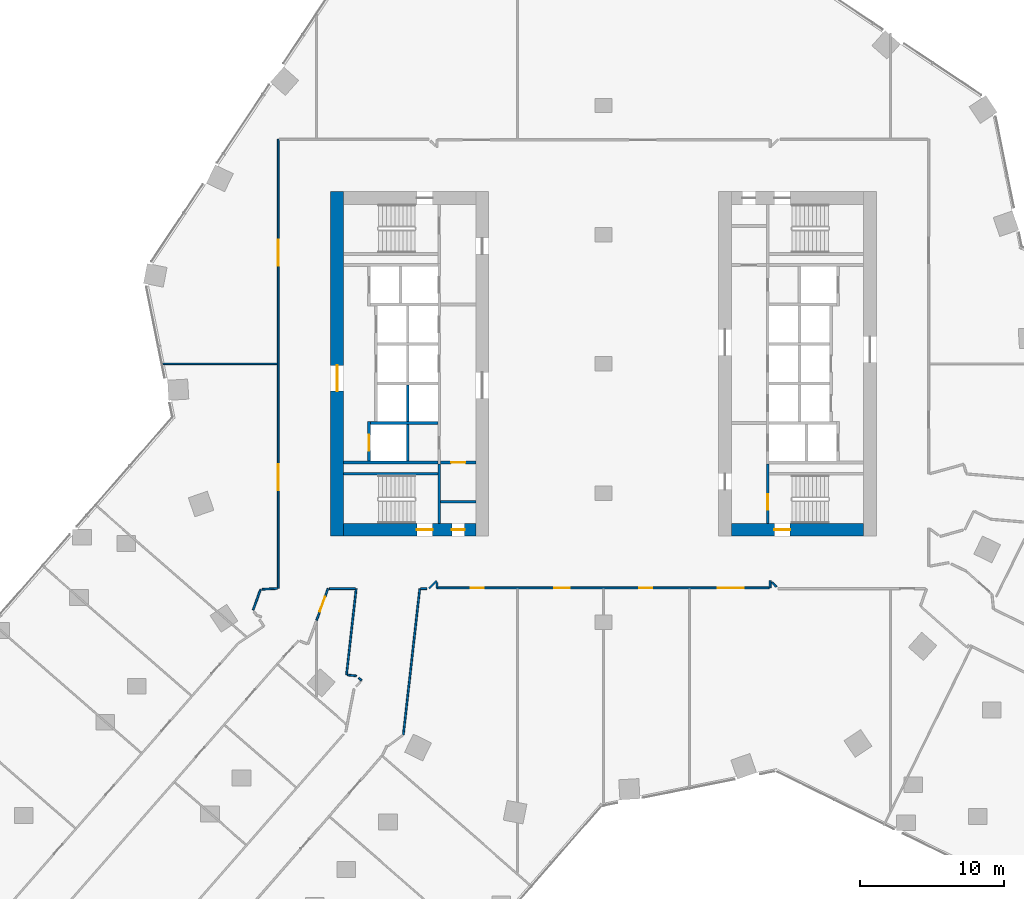
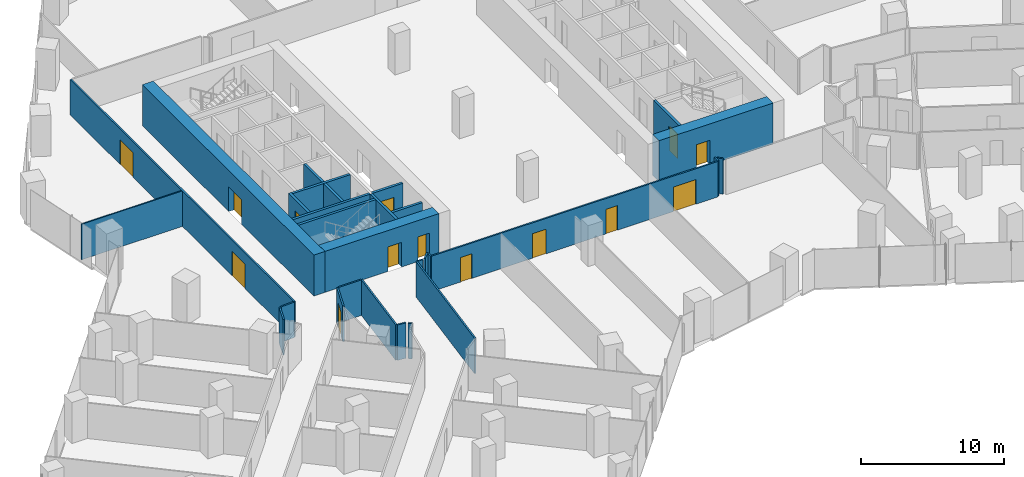
# One storey, part 27 of 38: 29 walls, 14 doors, 14 openings.
"""IFC4 building model written with IfcOpenShell, lengths in metres."""

from ifc_helpers import new_model, si_unit, direction, frame, frame_2d, origin, place, context, subcontext, project, spatial, rectangle, extrude, material, layer, layer_set, type_object, element, fill, save


model = new_model("IFC4")

# Units and contexts
model_context = context("Model", 3, precision=1e-05, world=origin(), true_north=direction((0.0, 1.0)))
body_context = subcontext(model_context, "Body", "Model", "MODEL_VIEW")
ifc_project = project(units=[si_unit("LENGTHUNIT", "METRE"), si_unit("AREAUNIT", "SQUARE_METRE"), si_unit("VOLUMEUNIT", "CUBIC_METRE"), si_unit("PLANEANGLEUNIT", "RADIAN"), si_unit("MASSUNIT", "GRAM", prefix="KILO")], contexts=[model_context])

# Site, building, storey
site_placement = place(None, origin())
site = spatial("IfcSite", under=ifc_project, at=site_placement, CompositionType="ELEMENT")
building_placement = place(site_placement, origin())
building = spatial("IfcBuilding", under=site, at=building_placement, Name="Orlundy Tower", CompositionType="ELEMENT")
storey_placement = place(building_placement, frame((0.0, 0.0, 72.800048828125)))
storey = spatial("IfcBuildingStorey", under=building, at=storey_placement, Name="L17", CompositionType="ELEMENT", Elevation=72.800048828125)

# Wall, openings, doors
ifc_material_1 = material(Name="Concrete C80/95", Category="concrete")
ifc_layer_1 = layer(ifc_material_1, 0.89990234375)
ifc_layer_set_1 = layer_set([ifc_layer_1], Name="CORE WALL 900 C80/95")
wall_type_1 = type_object("IfcWallType", Name="CORE WALL 900 C80/95", PredefinedType="SHEAR", material=ifc_layer_set_1)
wall_1_placement = place(storey_placement, frame((-18.10009765625, -11.550048828125, 0.0), z_axis=(0.0, 0.0, 1.0), x_axis=(1.0, 0.0, 0.0)))
wall_1 = element("IfcWall", 1, at=wall_1_placement, inside=storey, type_object=wall_type_1, Name="Core wall W-S L17", PredefinedType="SHEAR", context=body_context, shape_type="SweptSolid", body=[
    extrude(rectangle(XDim=9.2001953125, YDim=0.89990234375, at=frame_2d((4.60009765625, 0.0))), origin(), (0.0, 0.0, 1.0), 3.5),
])
opening_1_placement = place(wall_1_placement, frame((5.10009765625, 0.0, 0.0)))
opening_1 = element("IfcOpeningElement", 2, at=opening_1_placement, cuts=wall_1, Name="Opening 14013", PredefinedType="OPENING", context=body_context, shape_type="SweptSolid", body=[
    extrude(rectangle(XDim=1.10009765625, YDim=2.10009765625, at=frame_2d((0.550048828125, 1.050048828125))), frame((0.0, 0.4599609375, 0.0), z_axis=(0.0, -1.0, 0.0), x_axis=(1.0, 0.0, 0.0)), (0.0, 0.0, 1.0), 0.919921875),
])
opening_2_placement = place(wall_1_placement, frame((7.530029296875, 0.0, 0.0)))
opening_2 = element("IfcOpeningElement", 3, at=opening_2_placement, cuts=wall_1, Name="Opening 14015", PredefinedType="OPENING", context=body_context, shape_type="SweptSolid", body=[
    extrude(rectangle(XDim=0.89990234375, YDim=2.10009765625, at=frame_2d((0.449951171875, 1.050048828125))), frame((0.0, 0.4599609375, 0.0), z_axis=(0.0, -1.0, 0.0), x_axis=(1.0, 0.0, 0.0)), (0.0, 0.0, 1.0), 0.919921875),
])
ifc_material_2 = material(Name="Timber door set", Category="wood")
door_type_1 = type_object("IfcDoorType", Name="Room Door 900x2100", OperationType="SINGLE_SWING_LEFT", PredefinedType="DOOR", material=ifc_material_2)
door_1_placement = place(opening_2_placement, origin())
door_1 = element("IfcDoor", 4, at=door_1_placement, inside=storey, type_object=door_type_1, Name="Store door 14015", OperationType="SINGLE_SWING_RIGHT", OverallHeight=2.10009765625, OverallWidth=0.89990234375, PredefinedType="DOOR", context=body_context, shape_type="SweptSolid", body=[
    extrude(rectangle(XDim=0.89990234375, YDim=2.10009765625, at=frame_2d((0.449951171875, 1.050048828125))), frame((0.0, 0.02490234375, 0.0), z_axis=(0.0, -1.0, 0.0), x_axis=(1.0, 0.0, 0.0)), (0.0, 0.0, 1.0), 0.050048828125),
])
fill(opening_2, door_1)
ifc_material_3 = material(Name="Steel door set", Category="steel")
door_type_2 = type_object("IfcDoorType", Name="Stair Door 1100x2100", OperationType="SINGLE_SWING_LEFT", PredefinedType="DOOR", material=ifc_material_3)
door_2_placement = place(opening_1_placement, origin())
door_2 = element("IfcDoor", 5, at=door_2_placement, inside=storey, type_object=door_type_2, Name="Stair door 14013", OperationType="SINGLE_SWING_RIGHT", OverallHeight=2.10009765625, OverallWidth=1.10009765625, PredefinedType="DOOR", context=body_context, shape_type="SweptSolid", body=[
    extrude(rectangle(XDim=1.10009765625, YDim=2.10009765625, at=frame_2d((0.550048828125, 1.050048828125))), frame((0.0, 0.02490234375, 0.0), z_axis=(0.0, -1.0, 0.0), x_axis=(1.0, 0.0, 0.0)), (0.0, 0.0, 1.0), 0.050048828125),
])
fill(opening_1, door_2)

# Wall, opening, door
wall_2_placement = place(storey_placement, frame((-18.550048828125, -12.0, 0.0), z_axis=(0.0, 0.0, 1.0), x_axis=(0.0, 1.0, 0.0)))
wall_2 = element("IfcWall", 6, at=wall_2_placement, inside=storey, type_object=wall_type_1, Name="Core wall W-W L17", PredefinedType="SHEAR", context=body_context, shape_type="SweptSolid", body=[
    extrude(rectangle(XDim=24.0, YDim=0.89990234375, at=frame_2d((12.0, 0.0))), origin(), (0.0, 0.0, 1.0), 3.5),
])
opening_3_placement = place(wall_2_placement, frame((10.10009765625, 0.0, 0.0)))
opening_3 = element("IfcOpeningElement", 7, at=opening_3_placement, cuts=wall_2, Name="Opening 14010", PredefinedType="OPENING", context=body_context, shape_type="SweptSolid", body=[
    extrude(rectangle(XDim=1.800048828125, YDim=2.10009765625, at=frame_2d((0.89990234375, 1.050048828125))), frame((0.0, 0.4599609375, 0.0), z_axis=(0.0, -1.0, 0.0), x_axis=(1.0, 0.0, 0.0)), (0.0, 0.0, 1.0), 0.919921875),
])
ifc_material_4 = material(Name="Timber door set", Category="wood")
door_type_3 = type_object("IfcDoorType", Name="Lobby Door 1800x2100", OperationType="DOUBLE_DOOR_DOUBLE_SWING", PredefinedType="DOOR", material=ifc_material_4)
door_3_placement = place(opening_3_placement, origin())
door_3 = element("IfcDoor", 8, at=door_3_placement, inside=storey, type_object=door_type_3, Name="Lift lobby door 14010", OperationType="SINGLE_SWING_LEFT", OverallHeight=2.10009765625, OverallWidth=1.800048828125, PredefinedType="DOOR", context=body_context, shape_type="SweptSolid", body=[
    extrude(rectangle(XDim=1.800048828125, YDim=2.10009765625, at=frame_2d((0.89990234375, 1.050048828125))), frame((0.0, 0.02490234375, 0.0), z_axis=(0.0, -1.0, 0.0), x_axis=(1.0, 0.0, 0.0)), (0.0, 0.0, 1.0), 0.050048828125),
])
fill(opening_3, door_3)

wall_3_placement = place(storey_placement, frame((8.89990234375, -11.550048828125, 0.0), z_axis=(0.0, 0.0, 1.0), x_axis=(1.0, 0.0, 0.0)))
wall_3 = element("IfcWall", 9, at=wall_3_placement, inside=storey, type_object=wall_type_1, Name="Core wall E-S L17", PredefinedType="SHEAR", context=body_context, shape_type="SweptSolid", body=[
    extrude(rectangle(XDim=9.2001953125, YDim=0.89990234375, at=frame_2d((4.60009765625, 0.0))), origin(), (0.0, 0.0, 1.0), 3.5),
])
opening_4_placement = place(wall_3_placement, frame((3.0, 0.0, 0.0)))
opening_4 = element("IfcOpeningElement", 10, at=opening_4_placement, cuts=wall_3, Name="Opening 14061", PredefinedType="OPENING", context=body_context, shape_type="SweptSolid", body=[
    extrude(rectangle(XDim=1.10009765625, YDim=2.10009765625, at=frame_2d((0.550048828125, 1.050048828125))), frame((0.0, 0.4599609375, 0.0), z_axis=(0.0, -1.0, 0.0), x_axis=(1.0, 0.0, 0.0)), (0.0, 0.0, 1.0), 0.919921875),
])
door_4_placement = place(opening_4_placement, origin())
door_4 = element("IfcDoor", 11, at=door_4_placement, inside=storey, type_object=door_type_2, Name="Stair door 14061", OperationType="SINGLE_SWING_LEFT", OverallHeight=2.10009765625, OverallWidth=1.10009765625, PredefinedType="DOOR", context=body_context, shape_type="SweptSolid", body=[
    extrude(rectangle(XDim=1.10009765625, YDim=2.10009765625, at=frame_2d((0.550048828125, 1.050048828125))), frame((0.0, 0.02490234375, 0.0), z_axis=(0.0, -1.0, 0.0), x_axis=(1.0, 0.0, 0.0)), (0.0, 0.0, 1.0), 0.050048828125),
])
fill(opening_4, door_4)

# Walls
ifc_material_5 = material(Name="Gypsum board partition")
ifc_layer_2 = layer(ifc_material_5, 0.10009765625)
ifc_layer_set_2 = layer_set([ifc_layer_2], Name="Floor partition 100")
wall_type_2 = type_object("IfcWallType", Name="Floor partition 100", PredefinedType="PARTITIONING", material=ifc_layer_set_2)
wall_4_placement = place(storey_placement, frame((-30.85107421875, 0.0, 0.0), z_axis=(0.0, 0.0, 1.0), x_axis=(1.0, 0.0, 0.0)))
element("IfcWall", 12, at=wall_4_placement, inside=storey, type_object=wall_type_2, Name="wall-int-L17-050", PredefinedType="PARTITIONING", context=body_context, shape_type="SweptSolid", body=[
    extrude(rectangle(XDim=8.13916015625, YDim=0.10009765625, at=frame_2d((4.069580078125, 0.0))), origin(), (0.0, 0.0, 1.0), 3.030029296875),
])
ifc_material_6 = material(Name="Gypsum board partition, double layer")
ifc_layer_3 = layer(ifc_material_6, 0.125)
ifc_layer_set_3 = layer_set([ifc_layer_3], Name="Floor partition 125")
wall_type_3 = type_object("IfcWallType", Name="Floor partition 125", PredefinedType="PARTITIONING", material=ifc_layer_set_3)
wall_5_placement = place(storey_placement, frame((-11.60107421875, -15.241943359375, 0.0), z_axis=(0.0, 0.0, 1.0), x_axis=(0.002726642898, -0.999996282702, 0.0)))
element("IfcWall", 13, at=wall_5_placement, inside=storey, type_object=wall_type_3, Name="wall-int-L17-001", PredefinedType="PARTITIONING", context=body_context, shape_type="SweptSolid", body=[
    extrude(rectangle(XDim=0.358154296875, YDim=0.125, at=frame_2d((0.17919921875, 0.0))), origin(), (0.0, 0.0, 1.0), 3.030029296875),
])
wall_6_placement = place(storey_placement, frame((11.72900390625, -15.20703125, 0.0), z_axis=(0.0, 0.0, 1.0), x_axis=(0.707106781187, -0.707106781187, 0.0)))
element("IfcWall", 14, at=wall_6_placement, inside=storey, type_object=wall_type_3, Name="wall-int-L17-005", PredefinedType="PARTITIONING", context=body_context, shape_type="SweptSolid", body=[
    extrude(rectangle(XDim=0.4482421875, YDim=0.125, at=frame_2d((0.22412109375, 0.0))), origin(), (0.0, 0.0, 1.0), 3.030029296875),
])
wall_7_placement = place(storey_placement, frame((-17.05810546875, -21.866943359375, 0.0), z_axis=(0.0, 0.0, 1.0), x_axis=(0.747902696109, -0.663808373819, 0.0)))
element("IfcWall", 15, at=wall_7_placement, inside=storey, type_object=wall_type_3, Name="wall-int-L17-009", PredefinedType="PARTITIONING", context=body_context, shape_type="SweptSolid", body=[
    extrude(rectangle(XDim=0.27294921875, YDim=0.125, at=frame_2d((0.136474609375, 0.0))), origin(), (0.0, 0.0, 1.0), 3.030029296875),
])
wall_8_placement = place(storey_placement, frame((-17.840087890625, -21.6650390625, 0.0), z_axis=(0.0, 0.0, 1.0), x_axis=(0.993780638981, -0.111355473987, 0.0)))
element("IfcWall", 16, at=wall_8_placement, inside=storey, type_object=wall_type_3, Name="wall-int-L17-041", PredefinedType="PARTITIONING", context=body_context, shape_type="SweptSolid", body=[
    extrude(rectangle(XDim=0.637939453125, YDim=0.125, at=frame_2d((0.31884765625, 0.0))), origin(), (0.0, 0.0, 1.0), 3.030029296875),
])
wall_9_placement = place(storey_placement, frame((-22.7119140625, -15.64208984375, 0.0), z_axis=(0.0, 0.0, 1.0), x_axis=(-0.998632921129, -0.052271300329, 0.0)))
element("IfcWall", 17, at=wall_9_placement, inside=storey, type_object=wall_type_3, Name="wall-int-L17-045", PredefinedType="PARTITIONING", context=body_context, shape_type="SweptSolid", body=[
    extrude(rectangle(XDim=1.069580078125, YDim=0.125, at=frame_2d((0.53466796875, 0.0))), origin(), (0.0, 0.0, 1.0), 3.030029296875),
])
wall_10_placement = place(storey_placement, frame((-19.10205078125, -15.65087890625, 0.0), z_axis=(0.0, 0.0, 1.0), x_axis=(1.0, 0.0, 0.0)))
element("IfcWall", 18, at=wall_10_placement, inside=storey, type_object=wall_type_3, Name="wall-int-L17-046", PredefinedType="PARTITIONING", context=body_context, shape_type="SweptSolid", body=[
    extrude(rectangle(XDim=1.81396484375, YDim=0.125, at=frame_2d((0.906982421875, 0.0))), origin(), (0.0, 0.0, 1.0), 3.030029296875),
])
wall_11_placement = place(storey_placement, frame((-12.735107421875, -15.65087890625, 0.0), z_axis=(0.0, 0.0, 1.0), x_axis=(1.0, 0.0, 0.0)))
element("IfcWall", 19, at=wall_11_placement, inside=storey, type_object=wall_type_3, Name="wall-int-L17-047", PredefinedType="PARTITIONING", context=body_context, shape_type="SweptSolid", body=[
    extrude(rectangle(XDim=0.424072265625, YDim=0.125, at=frame_2d((0.2119140625, 0.0))), origin(), (0.0, 0.0, 1.0), 3.030029296875),
])

# Wall, openings, doors
wall_12_placement = place(storey_placement, frame((11.5390625, -15.60009765625, 0.0), z_axis=(0.0, 0.0, 1.0), x_axis=(-1.0, 0.0, 0.0)))
wall_12 = element("IfcWall", 20, at=wall_12_placement, inside=storey, type_object=wall_type_3, Name="wall-int-L17-049", PredefinedType="PARTITIONING", context=body_context, shape_type="SweptSolid", body=[
    extrude(rectangle(XDim=23.13916015625, YDim=0.125, at=frame_2d((11.569580078125, 0.0))), origin(), (0.0, 0.0, 1.0), 3.030029296875),
])
opening_5_placement = place(wall_12_placement, frame((19.888427734375, 0.0, 0.0)))
opening_5 = element("IfcOpeningElement", 21, at=opening_5_placement, cuts=wall_12, Name="Opening 14125", PredefinedType="OPENING", context=body_context, shape_type="SweptSolid", body=[
    extrude(rectangle(XDim=0.89990234375, YDim=2.10009765625, at=frame_2d((0.449951171875, 1.050048828125))), frame((0.0, 0.072509765625, 0.0), z_axis=(0.0, -1.0, 0.0), x_axis=(1.0, 0.0, 0.0)), (0.0, 0.0, 1.0), 0.14501953125),
])
opening_6_placement = place(wall_12_placement, frame((13.888427734375, 0.0, 0.0)))
opening_6 = element("IfcOpeningElement", 22, at=opening_6_placement, cuts=wall_12, Name="Opening 14126", PredefinedType="OPENING", context=body_context, shape_type="SweptSolid", body=[
    extrude(rectangle(XDim=1.10009765625, YDim=2.10009765625, at=frame_2d((0.550048828125, 1.050048828125))), frame((0.0, 0.072509765625, 0.0), z_axis=(0.0, -1.0, 0.0), x_axis=(1.0, 0.0, 0.0)), (0.0, 0.0, 1.0), 0.14501953125),
])
opening_7_placement = place(wall_12_placement, frame((8.138427734375, 0.0, 0.0)))
opening_7 = element("IfcOpeningElement", 23, at=opening_7_placement, cuts=wall_12, Name="Opening 14127", PredefinedType="OPENING", context=body_context, shape_type="SweptSolid", body=[
    extrude(rectangle(XDim=0.89990234375, YDim=2.10009765625, at=frame_2d((0.449951171875, 1.050048828125))), frame((0.0, 0.072509765625, 0.0), z_axis=(0.0, -1.0, 0.0), x_axis=(1.0, 0.0, 0.0)), (0.0, 0.0, 1.0), 0.14501953125),
])
opening_8_placement = place(wall_12_placement, frame((1.78759765625, 0.0, 0.0)))
opening_8 = element("IfcOpeningElement", 24, at=opening_8_placement, cuts=wall_12, Name="Opening 14128", PredefinedType="OPENING", context=body_context, shape_type="SweptSolid", body=[
    extrude(rectangle(XDim=1.800048828125, YDim=2.10009765625, at=frame_2d((0.89990234375, 1.050048828125))), frame((0.0, 0.072509765625, 0.0), z_axis=(0.0, -1.0, 0.0), x_axis=(1.0, 0.0, 0.0)), (0.0, 0.0, 1.0), 0.14501953125),
])
ifc_material_7 = material(Name="Timber door leaf", Category="wood")
door_type_4 = type_object("IfcDoorType", Name="Floor door double 1800 FD30S", OperationType="NOTDEFINED", PredefinedType="DOOR", material=ifc_material_7)
door_5_placement = place(opening_8_placement, origin())
door_5 = element("IfcDoor", 25, at=door_5_placement, inside=storey, type_object=door_type_4, Name="Door 14128", OperationType="DOUBLE_DOOR_SINGLE_SWING", OverallHeight=2.10009765625, OverallWidth=1.800048828125, PredefinedType="DOOR", context=body_context, shape_type="SweptSolid", body=[
    extrude(rectangle(XDim=1.800048828125, YDim=2.10009765625, at=frame_2d((0.89990234375, 1.050048828125))), frame((0.0, 0.02490234375, 0.0), z_axis=(0.0, -1.0, 0.0), x_axis=(1.0, 0.0, 0.0)), (0.0, 0.0, 1.0), 0.050048828125),
])
fill(opening_8, door_5)
ifc_material_8 = material(Name="Timber door leaf", Category="wood")
door_type_5 = type_object("IfcDoorType", Name="Floor door single 900 FD30S", OperationType="NOTDEFINED", PredefinedType="DOOR", material=ifc_material_8)
door_6_placement = place(opening_5_placement, origin())
door_6 = element("IfcDoor", 26, at=door_6_placement, inside=storey, type_object=door_type_5, Name="Door 14125", OperationType="SINGLE_SWING_RIGHT", OverallHeight=2.10009765625, OverallWidth=0.89990234375, PredefinedType="DOOR", context=body_context, shape_type="SweptSolid", body=[
    extrude(rectangle(XDim=0.89990234375, YDim=2.10009765625, at=frame_2d((0.449951171875, 1.050048828125))), frame((0.0, 0.02490234375, 0.0), z_axis=(0.0, -1.0, 0.0), x_axis=(1.0, 0.0, 0.0)), (0.0, 0.0, 1.0), 0.050048828125),
])
fill(opening_5, door_6)
door_7_placement = place(opening_7_placement, origin())
door_7 = element("IfcDoor", 27, at=door_7_placement, inside=storey, type_object=door_type_5, Name="Door 14127", OperationType="SINGLE_SWING_LEFT", OverallHeight=2.10009765625, OverallWidth=0.89990234375, PredefinedType="DOOR", context=body_context, shape_type="SweptSolid", body=[
    extrude(rectangle(XDim=0.89990234375, YDim=2.10009765625, at=frame_2d((0.449951171875, 1.050048828125))), frame((0.0, 0.02490234375, 0.0), z_axis=(0.0, -1.0, 0.0), x_axis=(1.0, 0.0, 0.0)), (0.0, 0.0, 1.0), 0.050048828125),
])
fill(opening_7, door_7)
ifc_material_9 = material(Name="Timber door leaf", Category="wood")
door_type_6 = type_object("IfcDoorType", Name="Floor door xwide 1100 FD30S", OperationType="NOTDEFINED", PredefinedType="DOOR", material=ifc_material_9)
door_8_placement = place(opening_6_placement, origin())
door_8 = element("IfcDoor", 28, at=door_8_placement, inside=storey, type_object=door_type_6, Name="Door 14126", OperationType="SINGLE_SWING_RIGHT", OverallHeight=2.10009765625, OverallWidth=1.10009765625, PredefinedType="DOOR", context=body_context, shape_type="SweptSolid", body=[
    extrude(rectangle(XDim=1.10009765625, YDim=2.10009765625, at=frame_2d((0.550048828125, 1.050048828125))), frame((0.0, 0.02490234375, 0.0), z_axis=(0.0, -1.0, 0.0), x_axis=(1.0, 0.0, 0.0)), (0.0, 0.0, 1.0), 0.050048828125),
])
fill(opening_6, door_8)

# Wall
wall_13_placement = place(storey_placement, frame((-12.153076171875, -15.631103515625, 0.0), z_axis=(0.0, 0.0, 1.0), x_axis=(0.707106781187, 0.707106781187, 0.0)))
element("IfcWall", 29, at=wall_13_placement, inside=storey, type_object=wall_type_3, Name="wall-int-L17-059", PredefinedType="PARTITIONING", context=body_context, shape_type="SweptSolid", body=[
    extrude(rectangle(XDim=0.7509765625, YDim=0.125, at=frame_2d((0.37548828125, 0.0))), origin(), (0.0, 0.0, 1.0), 3.030029296875),
])

# Wall, opening, door
wall_14_placement = place(storey_placement, frame((-19.19091796875, -15.65087890625, 0.0), z_axis=(0.0, 0.0, 1.0), x_axis=(-0.338423918893, -0.940993757217, 0.0)))
wall_14 = element("IfcWall", 30, at=wall_14_placement, inside=storey, type_object=wall_type_3, Name="wall-int-L17-083", PredefinedType="PARTITIONING", context=body_context, shape_type="SweptSolid", body=[
    extrude(rectangle(XDim=2.34033203125, YDim=0.125, at=frame_2d((1.170166015625, 0.0))), origin(), (0.0, 0.0, 1.0), 3.030029296875),
])
opening_9_placement = place(wall_14_placement, frame((0.60009765625, 0.0, 0.0)))
opening_9 = element("IfcOpeningElement", 31, at=opening_9_placement, cuts=wall_14, Name="Opening 14124", PredefinedType="OPENING", context=body_context, shape_type="SweptSolid", body=[
    extrude(rectangle(XDim=1.10009765625, YDim=2.10009765625, at=frame_2d((0.550048828125, 1.050048828125))), frame((0.0, 0.072509765625, 0.0), z_axis=(0.0, -1.0, 0.0), x_axis=(1.0, 0.0, 0.0)), (0.0, 0.0, 1.0), 0.14501953125),
])
door_9_placement = place(opening_9_placement, origin())
door_9 = element("IfcDoor", 32, at=door_9_placement, inside=storey, type_object=door_type_6, Name="Door 14124", OperationType="SINGLE_SWING_LEFT", OverallHeight=2.10009765625, OverallWidth=1.10009765625, PredefinedType="DOOR", context=body_context, shape_type="SweptSolid", body=[
    extrude(rectangle(XDim=1.10009765625, YDim=2.10009765625, at=frame_2d((0.550048828125, 1.050048828125))), frame((0.0, 0.02490234375, 0.0), z_axis=(0.0, -1.0, 0.0), x_axis=(1.0, 0.0, 0.0)), (0.0, 0.0, 1.0), 0.050048828125),
])
fill(opening_9, door_9)

# Walls
wall_15_placement = place(storey_placement, frame((-24.406982421875, -17.14990234375, 0.0), z_axis=(0.0, 0.0, 1.0), x_axis=(0.338354498813, 0.941018720926, 0.0)))
element("IfcWall", 33, at=wall_15_placement, inside=storey, type_object=wall_type_3, Name="wall-int-L17-085", PredefinedType="PARTITIONING", context=body_context, shape_type="SweptSolid", body=[
    extrude(rectangle(XDim=1.539794921875, YDim=0.125, at=frame_2d((0.77001953125, 0.0))), origin(), (0.0, 0.0, 1.0), 3.030029296875),
])
wall_16_placement = place(storey_placement, frame((-13.944091796875, -25.837890625, 0.0), z_axis=(0.0, 0.0, 1.0), x_axis=(0.111803887366, 0.993730290758, 0.0)))
element("IfcWall", 34, at=wall_16_placement, inside=storey, type_object=wall_type_3, Name="wall-int-L17-088", PredefinedType="PARTITIONING", context=body_context, shape_type="SweptSolid", body=[
    extrude(rectangle(XDim=10.25, YDim=0.125, at=frame_2d((5.125, 0.0))), origin(), (0.0, 0.0, 1.0), 3.030029296875),
])
wall_17_placement = place(storey_placement, frame((-17.902099609375, -21.656982421875, 0.0), z_axis=(0.0, 0.0, 1.0), x_axis=(0.111672630046, 0.993745049647, 0.0)))
element("IfcWall", 35, at=wall_17_placement, inside=storey, type_object=wall_type_3, Name="wall-int-L17-089", PredefinedType="PARTITIONING", context=body_context, shape_type="SweptSolid", body=[
    extrude(rectangle(XDim=6.044921875, YDim=0.125, at=frame_2d((3.0224609375, 0.0))), origin(), (0.0, 0.0, 1.0), 3.030029296875),
])
wall_18_placement = place(storey_placement, frame((11.60107421875, -15.60009765625, 0.0), z_axis=(0.0, 0.0, 1.0), x_axis=(0.0, 1.0, 0.0)))
element("IfcWall", 36, at=wall_18_placement, inside=storey, type_object=wall_type_3, Name="wall-int-L17-095", PredefinedType="PARTITIONING", context=body_context, shape_type="SweptSolid", body=[
    extrude(rectangle(XDim=0.508056640625, YDim=0.125, at=frame_2d((0.25390625, 0.0))), origin(), (0.0, 0.0, 1.0), 3.030029296875),
])

# Wall, openings, doors
wall_19_placement = place(storey_placement, frame((-22.64990234375, -15.638916015625, 0.0), z_axis=(0.0, 0.0, 1.0), x_axis=(0.0, 1.0, 0.0)))
wall_19 = element("IfcWall", 37, at=wall_19_placement, inside=storey, type_object=wall_type_3, Name="wall-int-L17-103", PredefinedType="PARTITIONING", context=body_context, shape_type="SweptSolid", body=[
    extrude(rectangle(XDim=31.289794921875, YDim=0.125, at=frame_2d((15.64501953125, 0.0))), origin(), (0.0, 0.0, 1.0), 3.030029296875),
])
opening_10_placement = place(wall_19_placement, frame((6.85009765625, 0.0, 0.0)))
opening_10 = element("IfcOpeningElement", 38, at=opening_10_placement, cuts=wall_19, Name="Opening 14122", PredefinedType="OPENING", context=body_context, shape_type="SweptSolid", body=[
    extrude(rectangle(XDim=1.800048828125, YDim=2.10009765625, at=frame_2d((0.89990234375, 1.050048828125))), frame((0.0, 0.072509765625, 0.0), z_axis=(0.0, -1.0, 0.0), x_axis=(1.0, 0.0, 0.0)), (0.0, 0.0, 1.0), 0.14501953125),
])
opening_11_placement = place(wall_19_placement, frame((22.489013671875, 0.0, 0.0)))
opening_11 = element("IfcOpeningElement", 39, at=opening_11_placement, cuts=wall_19, Name="Opening 14135", PredefinedType="OPENING", context=body_context, shape_type="SweptSolid", body=[
    extrude(rectangle(XDim=1.800048828125, YDim=2.10009765625, at=frame_2d((0.89990234375, 1.050048828125))), frame((0.0, 0.072509765625, 0.0), z_axis=(0.0, -1.0, 0.0), x_axis=(1.0, 0.0, 0.0)), (0.0, 0.0, 1.0), 0.14501953125),
])
door_10_placement = place(opening_10_placement, origin())
door_10 = element("IfcDoor", 40, at=door_10_placement, inside=storey, type_object=door_type_4, Name="Door 14122", OperationType="DOUBLE_DOOR_SINGLE_SWING", OverallHeight=2.10009765625, OverallWidth=1.800048828125, PredefinedType="DOOR", context=body_context, shape_type="SweptSolid", body=[
    extrude(rectangle(XDim=1.800048828125, YDim=2.10009765625, at=frame_2d((0.89990234375, 1.050048828125))), frame((0.0, 0.02490234375, 0.0), z_axis=(0.0, -1.0, 0.0), x_axis=(1.0, 0.0, 0.0)), (0.0, 0.0, 1.0), 0.050048828125),
])
fill(opening_10, door_10)
door_11_placement = place(opening_11_placement, origin())
door_11 = element("IfcDoor", 41, at=door_11_placement, inside=storey, type_object=door_type_4, Name="Door 14135", OperationType="DOUBLE_DOOR_SINGLE_SWING", OverallHeight=2.10009765625, OverallWidth=1.800048828125, PredefinedType="DOOR", context=body_context, shape_type="SweptSolid", body=[
    extrude(rectangle(XDim=1.800048828125, YDim=2.10009765625, at=frame_2d((0.89990234375, 1.050048828125))), frame((0.0, 0.02490234375, 0.0), z_axis=(0.0, -1.0, 0.0), x_axis=(1.0, 0.0, 0.0)), (0.0, 0.0, 1.0), 0.050048828125),
])
fill(opening_11, door_11)

# Walls
ifc_material_10 = material(Name="Concrete C40/50", Category="concrete")
ifc_layer_4 = layer(ifc_material_10, 0.199951171875)
ifc_layer_set_4 = layer_set([ifc_layer_4], Name="Load-bearing Shaft Wall 200")
wall_type_4 = type_object("IfcWallType", Name="Load-bearing Shaft Wall 200", PredefinedType="SOLIDWALL", material=ifc_layer_set_4)
wall_20_placement = place(storey_placement, frame((-11.43994140625, -11.10009765625, 0.0), z_axis=(0.0, 0.0, 1.0), x_axis=(0.0, 1.0, 0.0)))
element("IfcWall", 42, at=wall_20_placement, inside=storey, type_object=wall_type_4, Name="Shaft wall W14-stair-end-s", PredefinedType="SOLIDWALL", context=body_context, shape_type="SweptSolid", body=[
    extrude(rectangle(XDim=4.125, YDim=0.199951171875, at=frame_2d((2.0625, 0.0))), origin(), (0.0, 0.0, 1.0), 3.050048828125),
])
wall_21_placement = place(storey_placement, frame((-11.5400390625, -7.64990234375, 0.0), z_axis=(0.0, 0.0, 1.0), x_axis=(-1.0, 0.0, 0.0)))
element("IfcWall", 43, at=wall_21_placement, inside=storey, type_object=wall_type_4, Name="Shaft wall W14-stair-side-s", PredefinedType="SOLIDWALL", context=body_context, shape_type="SweptSolid", body=[
    extrude(rectangle(XDim=6.56005859375, YDim=0.199951171875, at=frame_2d((3.280029296875, 0.0))), origin(), (0.0, 0.0, 1.0), 3.050048828125),
])

# Wall, opening, door
wall_22_placement = place(storey_placement, frame((11.43994140625, -6.97509765625, 0.0), z_axis=(0.0, 0.0, 1.0), x_axis=(0.0, -1.0, 0.0)))
wall_22 = element("IfcWall", 44, at=wall_22_placement, inside=storey, type_object=wall_type_4, Name="Shaft wall E14-stair-end-n", PredefinedType="SOLIDWALL", context=body_context, shape_type="SweptSolid", body=[
    extrude(rectangle(XDim=4.125, YDim=0.199951171875, at=frame_2d((2.0625, 0.0))), origin(), (0.0, 0.0, 1.0), 3.050048828125),
])
opening_12_placement = place(wall_22_placement, frame((2.10009765625, 0.0, 0.0)))
opening_12 = element("IfcOpeningElement", 45, at=opening_12_placement, cuts=wall_22, Name="Opening 14063", PredefinedType="OPENING", context=body_context, shape_type="SweptSolid", body=[
    extrude(rectangle(XDim=1.10009765625, YDim=2.10009765625, at=frame_2d((0.550048828125, 1.050048828125))), frame((0.0, 0.110107421875, 0.0), z_axis=(0.0, -1.0, 0.0), x_axis=(1.0, 0.0, 0.0)), (0.0, 0.0, 1.0), 0.22021484375),
])
ifc_material_11 = material(Name="Steel door set", Category="steel")
door_type_7 = type_object("IfcDoorType", Name="Fire-fighting Lobby Door 1100x2100", OperationType="SINGLE_SWING_LEFT", PredefinedType="DOOR", material=ifc_material_11)
door_12_placement = place(opening_12_placement, origin())
door_12 = element("IfcDoor", 46, at=door_12_placement, inside=storey, type_object=door_type_7, Name="Fire-fighting lobby to stair door 14063", OperationType="SINGLE_SWING_RIGHT", OverallHeight=2.10009765625, OverallWidth=1.10009765625, PredefinedType="DOOR", context=body_context, shape_type="SweptSolid", body=[
    extrude(rectangle(XDim=1.10009765625, YDim=2.10009765625, at=frame_2d((0.550048828125, 1.050048828125))), frame((0.0, 0.02490234375, 0.0), z_axis=(0.0, -1.0, 0.0), x_axis=(1.0, 0.0, 0.0)), (0.0, 0.0, 1.0), 0.050048828125),
])
fill(opening_12, door_12)

ifc_material_12 = material(Name="Gypsum board partition on steel studs", Category="steel")
ifc_layer_5 = layer(ifc_material_12, 0.199951171875)
ifc_layer_set_5 = layer_set([ifc_layer_5], Name="Partition 200")
wall_type_5 = type_object("IfcWallType", Name="Partition 200", PredefinedType="PARTITIONING", material=ifc_layer_set_5)
wall_23_placement = place(storey_placement, frame((-8.89990234375, -6.875, 0.0), z_axis=(0.0, 0.0, 1.0), x_axis=(-1.0, 0.0, 0.0)))
wall_23 = element("IfcWall", 47, at=wall_23_placement, inside=storey, type_object=wall_type_5, Name="Partition wall W14-end-s", PredefinedType="PARTITIONING", context=body_context, shape_type="SweptSolid", body=[
    extrude(rectangle(XDim=2.440185546875, YDim=0.199951171875, at=frame_2d((1.22021484375, 0.0))), origin(), (0.0, 0.0, 1.0), 3.050048828125),
])
opening_13_placement = place(wall_23_placement, frame((0.719970703125, 0.0, 0.0)))
opening_13 = element("IfcOpeningElement", 48, at=opening_13_placement, cuts=wall_23, Name="Opening 14016", PredefinedType="OPENING", context=body_context, shape_type="SweptSolid", body=[
    extrude(rectangle(XDim=1.0, YDim=2.10009765625, at=frame_2d((0.5, 1.050048828125))), frame((0.0, 0.110107421875, 0.0), z_axis=(0.0, -1.0, 0.0), x_axis=(1.0, 0.0, 0.0)), (0.0, 0.0, 1.0), 0.22021484375),
])
ifc_material_13 = material(Name="Timber door set", Category="wood")
door_type_8 = type_object("IfcDoorType", Name="Accessible Door 1000x2100", OperationType="SINGLE_SWING_LEFT", PredefinedType="DOOR", material=ifc_material_13)
door_13_placement = place(opening_13_placement, origin())
door_13 = element("IfcDoor", 49, at=door_13_placement, inside=storey, type_object=door_type_8, Name="Accessible WC door 14016", OperationType="SINGLE_SWING_RIGHT", OverallHeight=2.10009765625, OverallWidth=1.0, PredefinedType="DOOR", context=body_context, shape_type="SweptSolid", body=[
    extrude(rectangle(XDim=1.0, YDim=2.10009765625, at=frame_2d((0.5, 1.050048828125))), frame((0.0, 0.02490234375, 0.0), z_axis=(0.0, -1.0, 0.0), x_axis=(1.0, 0.0, 0.0)), (0.0, 0.0, 1.0), 0.050048828125),
])
fill(opening_13, door_13)

# Walls
wall_24_placement = place(storey_placement, frame((-8.89990234375, -9.60009765625, 0.0), z_axis=(0.0, 0.0, 1.0), x_axis=(-1.0, 0.0, 0.0)))
element("IfcWall", 50, at=wall_24_placement, inside=storey, type_object=wall_type_5, Name="Partition wall W14-room-s0", PredefinedType="PARTITIONING", context=body_context, shape_type="SweptSolid", body=[
    extrude(rectangle(XDim=2.440185546875, YDim=0.199951171875, at=frame_2d((1.22021484375, 0.0))), origin(), (0.0, 0.0, 1.0), 3.050048828125),
])
ifc_material_14 = material(Name="Fire-rated blockwork shaft wall", Category="masonry")
ifc_layer_6 = layer(ifc_material_14, 0.199951171875)
ifc_layer_set_6 = layer_set([ifc_layer_6], Name="Shaft Wall 200")
wall_type_6 = type_object("IfcWallType", Name="Shaft Wall 200", PredefinedType="SOLIDWALL", material=ifc_layer_set_6)
wall_25_placement = place(storey_placement, frame((-11.5400390625, -6.875, 0.0), z_axis=(0.0, 0.0, 1.0), x_axis=(-1.0, 0.0, 0.0)))
element("IfcWall", 51, at=wall_25_placement, inside=storey, type_object=wall_type_6, Name="Shaft wall W14-zone-s", PredefinedType="SOLIDWALL", context=body_context, shape_type="SweptSolid", body=[
    extrude(rectangle(XDim=6.56005859375, YDim=0.199951171875, at=frame_2d((3.280029296875, 0.0))), origin(), (0.0, 0.0, 1.0), 3.050048828125),
])
wall_26_placement = place(storey_placement, frame((-11.5400390625, -4.125, 0.0), z_axis=(0.0, 0.0, 1.0), x_axis=(-1.0, 0.0, 0.0)))
element("IfcWall", 52, at=wall_26_placement, inside=storey, type_object=wall_type_6, Name="Shaft wall W14-cross-4.125", PredefinedType="SOLIDWALL", context=body_context, shape_type="SweptSolid", body=[
    extrude(rectangle(XDim=4.699951171875, YDim=0.199951171875, at=frame_2d((2.35009765625, 0.0))), origin(), (0.0, 0.0, 1.0), 3.050048828125),
])
for number, where, z_axis, x_axis, name in (
    (53, (-13.639892578125, -6.77490234375, 0.0), (0.0, 0.0, 1.0), (0.0, 1.0, 0.0), "Shaft wall W14-mid-a"),
    (54, (-13.639892578125, -4.02490234375, 0.0), (0.0, 0.0, 1.0), (0.0, 1.0, 0.0), "Shaft wall W14-mid-a.1"),
):
    element("IfcWall", number, at=place(storey_placement, frame(where, z_axis=z_axis, x_axis=x_axis)), inside=storey, type_object=wall_type_6, Name=name, PredefinedType="SOLIDWALL", context=body_context, shape_type="SweptSolid", body=[
        extrude(rectangle(XDim=2.5498046875, YDim=0.199951171875, at=frame_2d((1.27490234375, 0.0))), origin(), (0.0, 0.0, 1.0), 3.050048828125),
    ])

# Wall, opening, door
wall_27_placement = place(storey_placement, frame((-16.340087890625, -6.77490234375, 0.0), z_axis=(0.0, 0.0, 1.0), x_axis=(0.0, 1.0, 0.0)))
wall_27 = element("IfcWall", 55, at=wall_27_placement, inside=storey, type_object=wall_type_6, Name="Shaft wall W14-front-o-a", PredefinedType="SOLIDWALL", context=body_context, shape_type="SweptSolid", body=[
    extrude(rectangle(XDim=2.75, YDim=0.199951171875, at=frame_2d((1.375, 0.0))), origin(), (0.0, 0.0, 1.0), 3.050048828125),
])
opening_14_placement = place(wall_27_placement, frame((0.72509765625, 0.0, 0.0)))
opening_14 = element("IfcOpeningElement", 56, at=opening_14_placement, cuts=wall_27, Name="Opening 14001", PredefinedType="OPENING", context=body_context, shape_type="SweptSolid", body=[
    extrude(rectangle(XDim=1.10009765625, YDim=2.10009765625, at=frame_2d((0.550048828125, 1.050048828125))), frame((0.0, 0.110107421875, 0.0), z_axis=(0.0, -1.0, 0.0), x_axis=(1.0, 0.0, 0.0)), (0.0, 0.0, 1.0), 0.22021484375),
])
ifc_material_15 = material(Name="Steel door set", Category="steel")
door_type_9 = type_object("IfcDoorType", Name="Landing Door 1100x2100", OperationType="DOUBLE_DOOR_SLIDING", PredefinedType="DOOR", material=ifc_material_15)
door_14_placement = place(opening_14_placement, origin())
door_14 = element("IfcDoor", 57, at=door_14_placement, inside=storey, type_object=door_type_9, Name="Lift landing door LV-01 14001", OperationType="DOUBLE_DOOR_SLIDING", OverallHeight=2.10009765625, OverallWidth=1.10009765625, PredefinedType="DOOR", context=body_context, shape_type="SweptSolid", body=[
    extrude(rectangle(XDim=1.10009765625, YDim=2.10009765625, at=frame_2d((0.550048828125, 1.050048828125))), frame((0.0, 0.02490234375, 0.0), z_axis=(0.0, -1.0, 0.0), x_axis=(1.0, 0.0, 0.0)), (0.0, 0.0, 1.0), 0.050048828125),
])
fill(opening_14, door_14)

save(model, "model.ifc")
